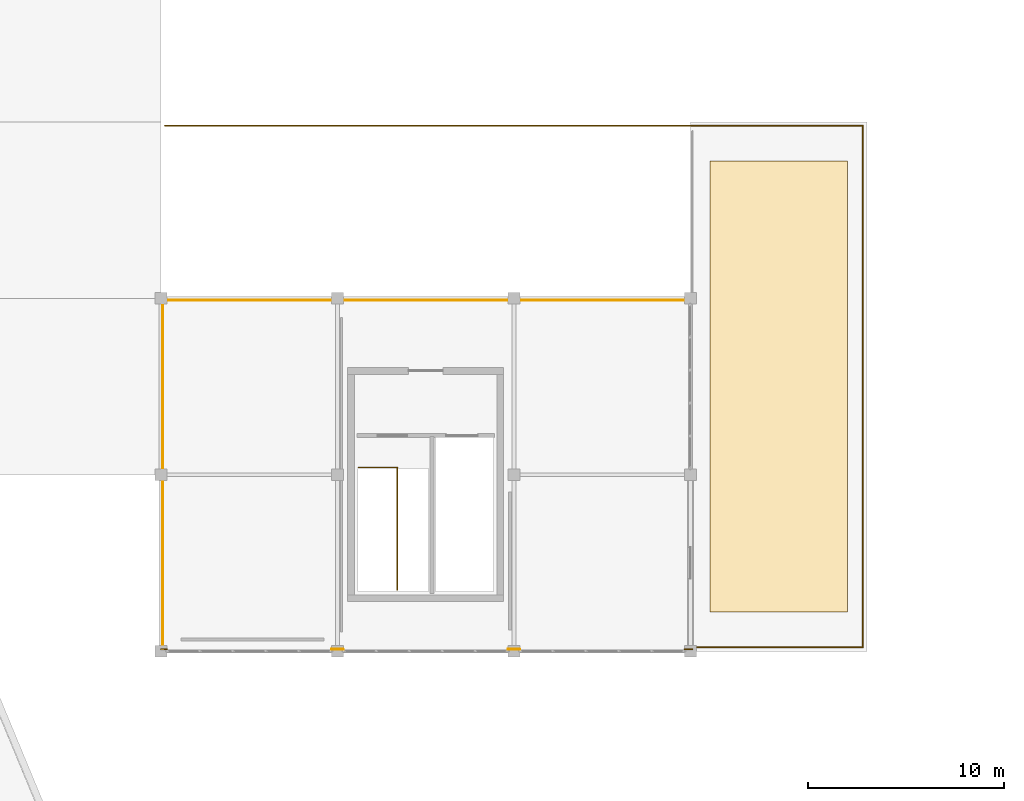
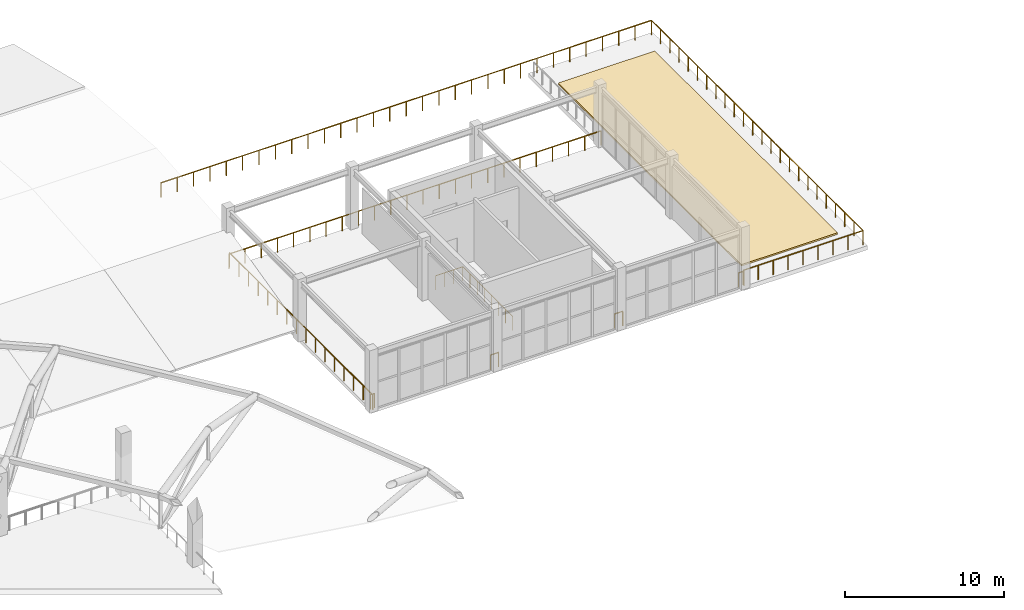
# One storey, part 165 of 167: 8 railings, 1 covering.
"""IFC4 building model written with IfcOpenShell, lengths in metres."""

from ifc_helpers import new_model, si_unit, direction, frame, origin, origin_2d, place, context, subcontext, project, spatial, polyline, circle, outline, extrude, material, layer, layer_set, type_object, element, save


model = new_model("IFC4")

# Units and contexts
model_context = context("Model", 3, precision=1e-05, world=origin(), true_north=direction((0.0, 1.0)))
body_context = subcontext(model_context, "Body", "Model", "MODEL_VIEW")
ifc_project = project(units=[si_unit("LENGTHUNIT", "METRE"), si_unit("AREAUNIT", "SQUARE_METRE"), si_unit("VOLUMEUNIT", "CUBIC_METRE"), si_unit("PLANEANGLEUNIT", "RADIAN"), si_unit("MASSUNIT", "GRAM", prefix="KILO")], contexts=[model_context])

# Site, building, storey
site_placement = place(None, origin())
site = spatial("IfcSite", under=ifc_project, at=site_placement, CompositionType="ELEMENT")
building_placement = place(site_placement, origin())
building = spatial("IfcBuilding", under=site, at=building_placement, Name="Dornveld Trade and Exhibition Forum", CompositionType="ELEMENT")
storey_placement = place(building_placement, frame((0.0, 0.0, 16.800048828125)))
storey = spatial("IfcBuildingStorey", under=building, at=storey_placement, Name="L03", CompositionType="ELEMENT", Elevation=16.800048828125)

# Covering
ifc_material_1 = material(Name="Planted roof-garden substrate and filter layer", Category="earth")
ifc_layer = layer(ifc_material_1, 0.1201171875)
ifc_layer_set = layer_set([ifc_layer], Name="Planted roof-garden substrate and filter layer")
covering_type = type_object("IfcCoveringType", Name="COV-ROOF-PLANT", PredefinedType="ROOFING", material=ifc_layer_set)
covering_placement = place(storey_placement, origin())
element("IfcCovering", 1, at=covering_placement, inside=storey, type_object=covering_type, Name="L03 planted xeriscape roof-garden bed 6", PredefinedType="ROOFING", context=body_context, shape_type="SweptSolid", body=[
    extrude(outline(polyline([(199.0, 110.0), (206.0, 110.0), (206.0, 133.0), (199.0, 133.0), (199.0, 110.0)])), origin(), (0.0, 0.0, 1.0), 0.119873046875),
])

# Railings
ifc_material_2 = material(Name="Dark-bronze steel and laminated glass balustrade", Category="steel")
railing_type_1 = type_object("IfcRailingType", Name="RL-BALUST-CONC", PredefinedType="BALUSTRADE", material=ifc_material_2)
railing_1_placement = place(storey_placement, frame((198.10009765625, 108.199951171875, 0.0)))
element("IfcRailing", 2, at=railing_1_placement, inside=storey, type_object=railing_type_1, Name="L03 protective edge guard 6", PredefinedType="BALUSTRADE", context=body_context, shape_type="SweptSolid", body=[
    extrude(circle(Radius=0.02490234375, at=origin_2d()), frame((0.0, 0.0, 1.09521484375), z_axis=(1.0, 0.0, 0.0), x_axis=(0.0, 1.0, 0.0)), (0.0, 0.0, 1.0), 8.699951171875),
    extrude(circle(Radius=0.02490234375, at=origin_2d()), frame((8.699951171875, 0.0, 1.09521484375), z_axis=(0.0, 1.0, 0.0), x_axis=(-1.0, 0.0, 0.0)), (0.0, 0.0, 1.0), 26.60009765625),
    extrude(circle(Radius=0.02490234375, at=origin_2d()), frame((8.699951171875, 26.60009765625, 1.09521484375), z_axis=(-1.0, 0.0, 0.0), x_axis=(0.0, -1.0, 0.0)), (0.0, 0.0, 1.0), 35.60009765625),
    extrude(circle(Radius=0.02099609375, at=origin_2d()), origin(), (0.0, 0.0, 1.0), 1.070068359375),
    extrude(circle(Radius=0.02099609375, at=origin_2d()), frame((1.08740234375, 0.0, 0.0)), (0.0, 0.0, 1.0), 1.070068359375),
    extrude(circle(Radius=0.02099609375, at=origin_2d()), frame((2.175048828125, 0.0, 0.0)), (0.0, 0.0, 1.0), 1.070068359375),
    extrude(circle(Radius=0.02099609375, at=origin_2d()), frame((3.262451171875, 0.0, 0.0)), (0.0, 0.0, 1.0), 1.070068359375),
    extrude(circle(Radius=0.02099609375, at=origin_2d()), frame((4.35009765625, 0.0, 0.0)), (0.0, 0.0, 1.0), 1.070068359375),
    extrude(circle(Radius=0.02099609375, at=origin_2d()), frame((5.4375, 0.0, 0.0)), (0.0, 0.0, 1.0), 1.070068359375),
    extrude(circle(Radius=0.02099609375, at=origin_2d()), frame((6.52490234375, 0.0, 0.0)), (0.0, 0.0, 1.0), 1.070068359375),
    extrude(circle(Radius=0.02099609375, at=origin_2d()), frame((7.612548828125, 0.0, 0.0)), (0.0, 0.0, 1.0), 1.070068359375),
    extrude(circle(Radius=0.02099609375, at=origin_2d()), frame((8.699951171875, 0.0, 0.0)), (0.0, 0.0, 1.0), 1.070068359375),
    extrude(circle(Radius=0.02099609375, at=origin_2d()), frame((8.699951171875, 1.156494140625, 0.0)), (0.0, 0.0, 1.0), 1.070068359375),
    extrude(circle(Radius=0.02099609375, at=origin_2d()), frame((8.699951171875, 2.31298828125, 0.0)), (0.0, 0.0, 1.0), 1.070068359375),
    extrude(circle(Radius=0.02099609375, at=origin_2d()), frame((8.699951171875, 3.469482421875, 0.0)), (0.0, 0.0, 1.0), 1.070068359375),
    extrude(circle(Radius=0.02099609375, at=origin_2d()), frame((8.699951171875, 4.626220703125, 0.0)), (0.0, 0.0, 1.0), 1.070068359375),
    extrude(circle(Radius=0.02099609375, at=origin_2d()), frame((8.699951171875, 5.78271484375, 0.0)), (0.0, 0.0, 1.0), 1.070068359375),
    extrude(circle(Radius=0.02099609375, at=origin_2d()), frame((8.699951171875, 6.939208984375, 0.0)), (0.0, 0.0, 1.0), 1.070068359375),
    extrude(circle(Radius=0.02099609375, at=origin_2d()), frame((8.699951171875, 8.095703125, 0.0)), (0.0, 0.0, 1.0), 1.070068359375),
    extrude(circle(Radius=0.02099609375, at=origin_2d()), frame((8.699951171875, 9.252197265625, 0.0)), (0.0, 0.0, 1.0), 1.070068359375),
    extrude(circle(Radius=0.02099609375, at=origin_2d()), frame((8.699951171875, 10.40869140625, 0.0)), (0.0, 0.0, 1.0), 1.070068359375),
    extrude(circle(Radius=0.02099609375, at=origin_2d()), frame((8.699951171875, 11.565185546875, 0.0)), (0.0, 0.0, 1.0), 1.070068359375),
    extrude(circle(Radius=0.02099609375, at=origin_2d()), frame((8.699951171875, 12.7216796875, 0.0)), (0.0, 0.0, 1.0), 1.070068359375),
    extrude(circle(Radius=0.02099609375, at=origin_2d()), frame((8.699951171875, 13.87841796875, 0.0)), (0.0, 0.0, 1.0), 1.070068359375),
    extrude(circle(Radius=0.02099609375, at=origin_2d()), frame((8.699951171875, 15.034912109375, 0.0)), (0.0, 0.0, 1.0), 1.070068359375),
    extrude(circle(Radius=0.02099609375, at=origin_2d()), frame((8.699951171875, 16.19140625, 0.0)), (0.0, 0.0, 1.0), 1.070068359375),
    extrude(circle(Radius=0.02099609375, at=origin_2d()), frame((8.699951171875, 17.347900390625, 0.0)), (0.0, 0.0, 1.0), 1.070068359375),
    extrude(circle(Radius=0.02099609375, at=origin_2d()), frame((8.699951171875, 18.50439453125, 0.0)), (0.0, 0.0, 1.0), 1.070068359375),
    extrude(circle(Radius=0.02099609375, at=origin_2d()), frame((8.699951171875, 19.660888671875, 0.0)), (0.0, 0.0, 1.0), 1.070068359375),
    extrude(circle(Radius=0.02099609375, at=origin_2d()), frame((8.699951171875, 20.8173828125, 0.0)), (0.0, 0.0, 1.0), 1.070068359375),
    extrude(circle(Radius=0.02099609375, at=origin_2d()), frame((8.699951171875, 21.973876953125, 0.0)), (0.0, 0.0, 1.0), 1.070068359375),
    extrude(circle(Radius=0.02099609375, at=origin_2d()), frame((8.699951171875, 23.130615234375, 0.0)), (0.0, 0.0, 1.0), 1.070068359375),
    extrude(circle(Radius=0.02099609375, at=origin_2d()), frame((8.699951171875, 24.287109375, 0.0)), (0.0, 0.0, 1.0), 1.070068359375),
    extrude(circle(Radius=0.02099609375, at=origin_2d()), frame((8.699951171875, 25.443603515625, 0.0)), (0.0, 0.0, 1.0), 1.070068359375),
    extrude(circle(Radius=0.02099609375, at=origin_2d()), frame((8.699951171875, 26.60009765625, 0.0)), (0.0, 0.0, 1.0), 1.070068359375),
    extrude(circle(Radius=0.02099609375, at=origin_2d()), frame((7.51318359375, 26.60009765625, 0.0)), (0.0, 0.0, 1.0), 1.070068359375),
    extrude(circle(Radius=0.02099609375, at=origin_2d()), frame((6.32666015625, 26.60009765625, 0.0)), (0.0, 0.0, 1.0), 1.070068359375),
    extrude(circle(Radius=0.02099609375, at=origin_2d()), frame((5.139892578125, 26.60009765625, 0.0)), (0.0, 0.0, 1.0), 1.070068359375),
    extrude(circle(Radius=0.02099609375, at=origin_2d()), frame((3.953369140625, 26.60009765625, 0.0)), (0.0, 0.0, 1.0), 1.070068359375),
    extrude(circle(Radius=0.02099609375, at=origin_2d()), frame((2.7666015625, 26.60009765625, 0.0)), (0.0, 0.0, 1.0), 1.070068359375),
    extrude(circle(Radius=0.02099609375, at=origin_2d()), frame((1.579833984375, 26.60009765625, 0.0)), (0.0, 0.0, 1.0), 1.070068359375),
    extrude(circle(Radius=0.02099609375, at=origin_2d()), frame((0.393310546875, 26.60009765625, 0.0)), (0.0, 0.0, 1.0), 1.070068359375),
    extrude(circle(Radius=0.02099609375, at=origin_2d()), frame((-0.79345703125, 26.60009765625, 0.0)), (0.0, 0.0, 1.0), 1.070068359375),
    extrude(circle(Radius=0.02099609375, at=origin_2d()), frame((-1.97998046875, 26.60009765625, 0.0)), (0.0, 0.0, 1.0), 1.070068359375),
    extrude(circle(Radius=0.02099609375, at=origin_2d()), frame((-3.166748046875, 26.60009765625, 0.0)), (0.0, 0.0, 1.0), 1.070068359375),
    extrude(circle(Radius=0.02099609375, at=origin_2d()), frame((-4.353515625, 26.60009765625, 0.0)), (0.0, 0.0, 1.0), 1.070068359375),
    extrude(circle(Radius=0.02099609375, at=origin_2d()), frame((-5.5400390625, 26.60009765625, 0.0)), (0.0, 0.0, 1.0), 1.070068359375),
    extrude(circle(Radius=0.02099609375, at=origin_2d()), frame((-6.726806640625, 26.60009765625, 0.0)), (0.0, 0.0, 1.0), 1.070068359375),
    extrude(circle(Radius=0.02099609375, at=origin_2d()), frame((-7.913330078125, 26.60009765625, 0.0)), (0.0, 0.0, 1.0), 1.070068359375),
    extrude(circle(Radius=0.02099609375, at=origin_2d()), frame((-9.10009765625, 26.60009765625, 0.0)), (0.0, 0.0, 1.0), 1.070068359375),
    extrude(circle(Radius=0.02099609375, at=origin_2d()), frame((-10.286865234375, 26.60009765625, 0.0)), (0.0, 0.0, 1.0), 1.070068359375),
    extrude(circle(Radius=0.02099609375, at=origin_2d()), frame((-11.473388671875, 26.60009765625, 0.0)), (0.0, 0.0, 1.0), 1.070068359375),
    extrude(circle(Radius=0.02099609375, at=origin_2d()), frame((-12.66015625, 26.60009765625, 0.0)), (0.0, 0.0, 1.0), 1.070068359375),
    extrude(circle(Radius=0.02099609375, at=origin_2d()), frame((-13.8466796875, 26.60009765625, 0.0)), (0.0, 0.0, 1.0), 1.070068359375),
    extrude(circle(Radius=0.02099609375, at=origin_2d()), frame((-15.033447265625, 26.60009765625, 0.0)), (0.0, 0.0, 1.0), 1.070068359375),
    extrude(circle(Radius=0.02099609375, at=origin_2d()), frame((-16.22021484375, 26.60009765625, 0.0)), (0.0, 0.0, 1.0), 1.070068359375),
    extrude(circle(Radius=0.02099609375, at=origin_2d()), frame((-17.40673828125, 26.60009765625, 0.0)), (0.0, 0.0, 1.0), 1.070068359375),
    extrude(circle(Radius=0.02099609375, at=origin_2d()), frame((-18.593505859375, 26.60009765625, 0.0)), (0.0, 0.0, 1.0), 1.070068359375),
    extrude(circle(Radius=0.02099609375, at=origin_2d()), frame((-19.780029296875, 26.60009765625, 0.0)), (0.0, 0.0, 1.0), 1.070068359375),
    extrude(circle(Radius=0.02099609375, at=origin_2d()), frame((-20.966796875, 26.60009765625, 0.0)), (0.0, 0.0, 1.0), 1.070068359375),
    extrude(circle(Radius=0.02099609375, at=origin_2d()), frame((-22.153564453125, 26.60009765625, 0.0)), (0.0, 0.0, 1.0), 1.070068359375),
    extrude(circle(Radius=0.02099609375, at=origin_2d()), frame((-23.340087890625, 26.60009765625, 0.0)), (0.0, 0.0, 1.0), 1.070068359375),
    extrude(circle(Radius=0.02099609375, at=origin_2d()), frame((-24.52685546875, 26.60009765625, 0.0)), (0.0, 0.0, 1.0), 1.070068359375),
    extrude(circle(Radius=0.02099609375, at=origin_2d()), frame((-25.71337890625, 26.60009765625, 0.0)), (0.0, 0.0, 1.0), 1.070068359375),
    extrude(circle(Radius=0.02099609375, at=origin_2d()), frame((-26.900146484375, 26.60009765625, 0.0)), (0.0, 0.0, 1.0), 1.070068359375),
])
railing_2_placement = place(storey_placement, frame((198.10009765625, 108.10009765625, 0.0)))
element("IfcRailing", 3, at=railing_2_placement, inside=storey, type_object=railing_type_1, Name="L03 deck edge balustrade 182", PredefinedType="BALUSTRADE", context=body_context, shape_type="SweptSolid", body=[
    extrude(circle(Radius=0.02490234375, at=origin_2d()), frame((0.0, 0.0, 1.09521484375), z_axis=(-1.0, 0.0, 0.0), x_axis=(0.0, -1.0, 0.0)), (0.0, 0.0, 1.0), 0.39599609375),
    extrude(circle(Radius=0.02099609375, at=origin_2d()), origin(), (0.0, 0.0, 1.0), 1.070068359375),
    extrude(circle(Radius=0.02099609375, at=origin_2d()), frame((-0.39599609375, 0.0, 0.0)), (0.0, 0.0, 1.0), 1.070068359375),
])
for number, where, name in (
    (4, (189.2958984375, 108.10009765625, 0.0), "L03 deck edge balustrade 183"),
    (5, (180.2958984375, 108.10009765625, 0.0), "L03 deck edge balustrade 184"),
):
    element("IfcRailing", number, at=place(storey_placement, frame(where)), inside=storey, type_object=railing_type_1, Name=name, PredefinedType="BALUSTRADE", context=body_context, shape_type="SweptSolid", body=[
        extrude(circle(Radius=0.02490234375, at=origin_2d()), frame((0.0, 0.0, 1.09521484375), z_axis=(-1.0, 0.0, 0.0), x_axis=(0.0, -1.0, 0.0)), (0.0, 0.0, 1.0), 0.591796875),
        extrude(circle(Radius=0.02099609375, at=origin_2d()), origin(), (0.0, 0.0, 1.0), 1.070068359375),
        extrude(circle(Radius=0.02099609375, at=origin_2d()), frame((-0.591796875, 0.0, 0.0)), (0.0, 0.0, 1.0), 1.070068359375),
    ])
railing_3_placement = place(storey_placement, frame((171.2958984375, 108.10009765625, 0.0)))
element("IfcRailing", 6, at=railing_3_placement, inside=storey, type_object=railing_type_1, Name="L03 deck edge balustrade 185", PredefinedType="BALUSTRADE", context=body_context, shape_type="SweptSolid", body=[
    extrude(circle(Radius=0.02490234375, at=origin_2d()), frame((0.0, 0.0, 1.09521484375), z_axis=(-1.0, 0.0, 0.0), x_axis=(0.0, -1.0, 0.0)), (0.0, 0.0, 1.0), 0.2958984375),
    extrude(circle(Radius=0.02099609375, at=origin_2d()), origin(), (0.0, 0.0, 1.0), 1.070068359375),
    extrude(circle(Radius=0.02099609375, at=origin_2d()), frame((-0.2958984375, 0.0, 0.0)), (0.0, 0.0, 1.0), 1.070068359375),
])
railing_4_placement = place(storey_placement, frame((171.10009765625, 108.0, 0.0)))
element("IfcRailing", 7, at=railing_4_placement, inside=storey, type_object=railing_type_1, Name="L03 deck edge balustrade 186", PredefinedType="BALUSTRADE", context=body_context, shape_type="SweptSolid", body=[
    extrude(circle(Radius=0.02490234375, at=origin_2d()), frame((0.0, 0.0, 1.09521484375), z_axis=(0.0, 1.0, 0.0), x_axis=(-1.0, 0.0, 0.0)), (0.0, 0.0, 1.0), 18.0),
    extrude(circle(Radius=0.02099609375, at=origin_2d()), origin(), (0.0, 0.0, 1.0), 1.070068359375),
    extrude(circle(Radius=0.02099609375, at=origin_2d()), frame((0.0, 1.199951171875, 0.0)), (0.0, 0.0, 1.0), 1.070068359375),
    extrude(circle(Radius=0.02099609375, at=origin_2d()), frame((0.0, 2.39990234375, 0.0)), (0.0, 0.0, 1.0), 1.070068359375),
    extrude(circle(Radius=0.02099609375, at=origin_2d()), frame((0.0, 3.60009765625, 0.0)), (0.0, 0.0, 1.0), 1.070068359375),
    extrude(circle(Radius=0.02099609375, at=origin_2d()), frame((0.0, 4.800048828125, 0.0)), (0.0, 0.0, 1.0), 1.070068359375),
    extrude(circle(Radius=0.02099609375, at=origin_2d()), frame((0.0, 6.0, 0.0)), (0.0, 0.0, 1.0), 1.070068359375),
    extrude(circle(Radius=0.02099609375, at=origin_2d()), frame((0.0, 7.199951171875, 0.0)), (0.0, 0.0, 1.0), 1.070068359375),
    extrude(circle(Radius=0.02099609375, at=origin_2d()), frame((0.0, 8.39990234375, 0.0)), (0.0, 0.0, 1.0), 1.070068359375),
    extrude(circle(Radius=0.02099609375, at=origin_2d()), frame((0.0, 9.60009765625, 0.0)), (0.0, 0.0, 1.0), 1.070068359375),
    extrude(circle(Radius=0.02099609375, at=origin_2d()), frame((0.0, 10.800048828125, 0.0)), (0.0, 0.0, 1.0), 1.070068359375),
    extrude(circle(Radius=0.02099609375, at=origin_2d()), frame((0.0, 12.0, 0.0)), (0.0, 0.0, 1.0), 1.070068359375),
    extrude(circle(Radius=0.02099609375, at=origin_2d()), frame((0.0, 13.199951171875, 0.0)), (0.0, 0.0, 1.0), 1.070068359375),
    extrude(circle(Radius=0.02099609375, at=origin_2d()), frame((0.0, 14.39990234375, 0.0)), (0.0, 0.0, 1.0), 1.070068359375),
    extrude(circle(Radius=0.02099609375, at=origin_2d()), frame((0.0, 15.60009765625, 0.0)), (0.0, 0.0, 1.0), 1.070068359375),
    extrude(circle(Radius=0.02099609375, at=origin_2d()), frame((0.0, 16.800048828125, 0.0)), (0.0, 0.0, 1.0), 1.070068359375),
    extrude(circle(Radius=0.02099609375, at=origin_2d()), frame((0.0, 18.0, 0.0)), (0.0, 0.0, 1.0), 1.070068359375),
])
railing_5_placement = place(storey_placement, frame((171.0, 125.89990234375, 0.0)))
element("IfcRailing", 8, at=railing_5_placement, inside=storey, type_object=railing_type_1, Name="L03 deck edge balustrade 187", PredefinedType="BALUSTRADE", context=body_context, shape_type="SweptSolid", body=[
    extrude(circle(Radius=0.02490234375, at=origin_2d()), frame((0.0, 0.0, 1.09521484375), z_axis=(1.0, 0.0, 0.0), x_axis=(0.0, 1.0, 0.0)), (0.0, 0.0, 1.0), 27.0),
    extrude(circle(Radius=0.02099609375, at=origin_2d()), origin(), (0.0, 0.0, 1.0), 1.070068359375),
    extrude(circle(Radius=0.02099609375, at=origin_2d()), frame((1.173828125, 0.0, 0.0)), (0.0, 0.0, 1.0), 1.070068359375),
    extrude(circle(Radius=0.02099609375, at=origin_2d()), frame((2.347900390625, 0.0, 0.0)), (0.0, 0.0, 1.0), 1.070068359375),
    extrude(circle(Radius=0.02099609375, at=origin_2d()), frame((3.521728515625, 0.0, 0.0)), (0.0, 0.0, 1.0), 1.070068359375),
    extrude(circle(Radius=0.02099609375, at=origin_2d()), frame((4.695556640625, 0.0, 0.0)), (0.0, 0.0, 1.0), 1.070068359375),
    extrude(circle(Radius=0.02099609375, at=origin_2d()), frame((5.86962890625, 0.0, 0.0)), (0.0, 0.0, 1.0), 1.070068359375),
    extrude(circle(Radius=0.02099609375, at=origin_2d()), frame((7.04345703125, 0.0, 0.0)), (0.0, 0.0, 1.0), 1.070068359375),
    extrude(circle(Radius=0.02099609375, at=origin_2d()), frame((8.21728515625, 0.0, 0.0)), (0.0, 0.0, 1.0), 1.070068359375),
    extrude(circle(Radius=0.02099609375, at=origin_2d()), frame((9.391357421875, 0.0, 0.0)), (0.0, 0.0, 1.0), 1.070068359375),
    extrude(circle(Radius=0.02099609375, at=origin_2d()), frame((10.565185546875, 0.0, 0.0)), (0.0, 0.0, 1.0), 1.070068359375),
    extrude(circle(Radius=0.02099609375, at=origin_2d()), frame((11.739013671875, 0.0, 0.0)), (0.0, 0.0, 1.0), 1.070068359375),
    extrude(circle(Radius=0.02099609375, at=origin_2d()), frame((12.9130859375, 0.0, 0.0)), (0.0, 0.0, 1.0), 1.070068359375),
    extrude(circle(Radius=0.02099609375, at=origin_2d()), frame((14.0869140625, 0.0, 0.0)), (0.0, 0.0, 1.0), 1.070068359375),
    extrude(circle(Radius=0.02099609375, at=origin_2d()), frame((15.260986328125, 0.0, 0.0)), (0.0, 0.0, 1.0), 1.070068359375),
    extrude(circle(Radius=0.02099609375, at=origin_2d()), frame((16.434814453125, 0.0, 0.0)), (0.0, 0.0, 1.0), 1.070068359375),
    extrude(circle(Radius=0.02099609375, at=origin_2d()), frame((17.608642578125, 0.0, 0.0)), (0.0, 0.0, 1.0), 1.070068359375),
    extrude(circle(Radius=0.02099609375, at=origin_2d()), frame((18.78271484375, 0.0, 0.0)), (0.0, 0.0, 1.0), 1.070068359375),
    extrude(circle(Radius=0.02099609375, at=origin_2d()), frame((19.95654296875, 0.0, 0.0)), (0.0, 0.0, 1.0), 1.070068359375),
    extrude(circle(Radius=0.02099609375, at=origin_2d()), frame((21.13037109375, 0.0, 0.0)), (0.0, 0.0, 1.0), 1.070068359375),
    extrude(circle(Radius=0.02099609375, at=origin_2d()), frame((22.304443359375, 0.0, 0.0)), (0.0, 0.0, 1.0), 1.070068359375),
    extrude(circle(Radius=0.02099609375, at=origin_2d()), frame((23.478271484375, 0.0, 0.0)), (0.0, 0.0, 1.0), 1.070068359375),
    extrude(circle(Radius=0.02099609375, at=origin_2d()), frame((24.652099609375, 0.0, 0.0)), (0.0, 0.0, 1.0), 1.070068359375),
    extrude(circle(Radius=0.02099609375, at=origin_2d()), frame((25.826171875, 0.0, 0.0)), (0.0, 0.0, 1.0), 1.070068359375),
    extrude(circle(Radius=0.02099609375, at=origin_2d()), frame((27.0, 0.0, 0.0)), (0.0, 0.0, 1.0), 1.070068359375),
])
ifc_material_3 = material(Name="Painted steel S355J2 stair-well guard", Category="steel")
railing_type_2 = type_object("IfcRailingType", Name="RL-WELL-110", PredefinedType="GUARDRAIL", material=ifc_material_3)
railing_6_placement = place(storey_placement, frame((181.080078125, 117.3701171875, 0.0)))
element("IfcRailing", 9, at=railing_6_placement, inside=storey, type_object=railing_type_2, Name="CORE-12 L03 stair-well top guard", PredefinedType="GUARDRAIL", context=body_context, shape_type="SweptSolid", body=[
    extrude(circle(Radius=0.02392578125, at=origin_2d()), frame((0.0, 0.0, 1.076171875), z_axis=(1.0, 0.0, 0.0), x_axis=(0.0, 1.0, 0.0)), (0.0, 0.0, 1.0), 1.969970703125),
    extrude(circle(Radius=0.02392578125, at=origin_2d()), frame((1.969970703125, 0.0, 1.076171875), z_axis=(0.0, -1.0, 0.0), x_axis=(1.0, 0.0, 0.0)), (0.0, 0.0, 1.0), 6.25),
    extrude(circle(Radius=0.02001953125, at=origin_2d()), origin(), (0.0, 0.0, 1.0), 1.052001953125),
    extrude(circle(Radius=0.02001953125, at=origin_2d()), frame((0.65673828125, 0.0, 0.0)), (0.0, 0.0, 1.0), 1.052001953125),
    extrude(circle(Radius=0.02001953125, at=origin_2d()), frame((1.313232421875, 0.0, 0.0)), (0.0, 0.0, 1.0), 1.052001953125),
    extrude(circle(Radius=0.02001953125, at=origin_2d()), frame((1.969970703125, 0.0, 0.0)), (0.0, 0.0, 1.0), 1.052001953125),
    extrude(circle(Radius=0.02001953125, at=origin_2d()), frame((1.969970703125, -0.892822265625, 0.0)), (0.0, 0.0, 1.0), 1.052001953125),
    extrude(circle(Radius=0.02001953125, at=origin_2d()), frame((1.969970703125, -1.78564453125, 0.0)), (0.0, 0.0, 1.0), 1.052001953125),
    extrude(circle(Radius=0.02001953125, at=origin_2d()), frame((1.969970703125, -2.678466796875, 0.0)), (0.0, 0.0, 1.0), 1.052001953125),
    extrude(circle(Radius=0.02001953125, at=origin_2d()), frame((1.969970703125, -3.571533203125, 0.0)), (0.0, 0.0, 1.0), 1.052001953125),
    extrude(circle(Radius=0.02001953125, at=origin_2d()), frame((1.969970703125, -4.46435546875, 0.0)), (0.0, 0.0, 1.0), 1.052001953125),
    extrude(circle(Radius=0.02001953125, at=origin_2d()), frame((1.969970703125, -5.357177734375, 0.0)), (0.0, 0.0, 1.0), 1.052001953125),
    extrude(circle(Radius=0.02001953125, at=origin_2d()), frame((1.969970703125, -6.25, 0.0)), (0.0, 0.0, 1.0), 1.052001953125),
])

save(model, "model.ifc")
